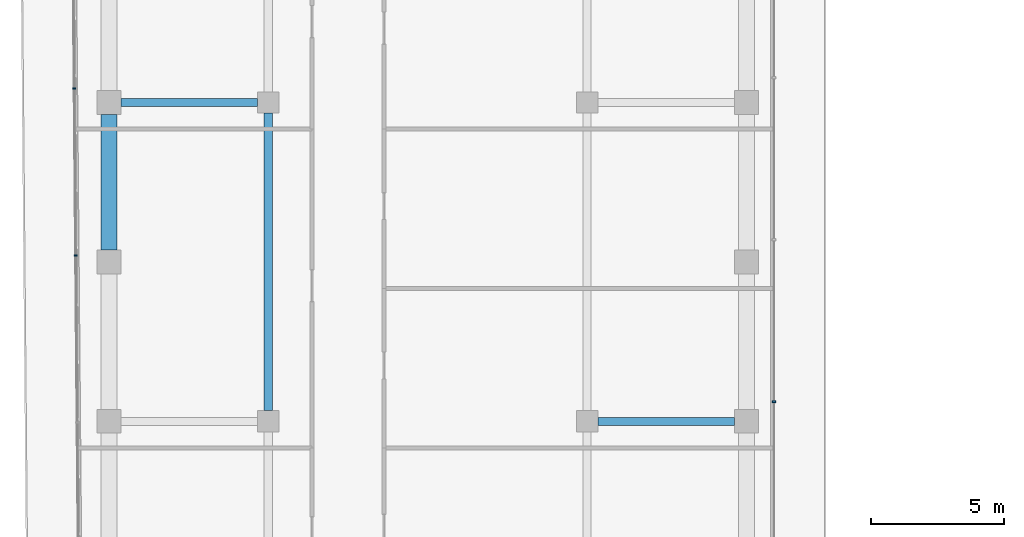
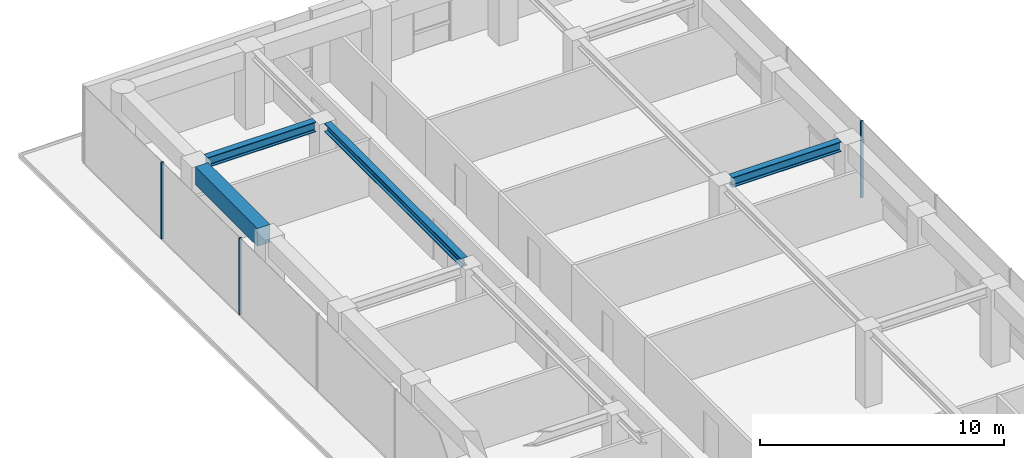
# One storey, part 12 of 21: 4 beams, 3 members, 2 elements without a shape of their own.
"""IFC4 building model written with IfcOpenShell, lengths in metres."""

from ifc_helpers import new_model, si_unit, direction, frame, origin, origin_2d, place, context, subcontext, project, spatial, rectangle, i_section, extrude, material, layer, layer_set, material_profile, profile_set, type_object, element, aggregate, save


model = new_model("IFC4")

# Units and contexts
model_context = context("Model", 3, precision=1e-05, world=origin(), true_north=direction((0.0, 1.0)))
body_context = subcontext(model_context, "Body", "Model", "MODEL_VIEW")
ifc_project = project(units=[si_unit("LENGTHUNIT", "METRE"), si_unit("AREAUNIT", "SQUARE_METRE"), si_unit("VOLUMEUNIT", "CUBIC_METRE"), si_unit("PLANEANGLEUNIT", "RADIAN"), si_unit("MASSUNIT", "GRAM", prefix="KILO")], contexts=[model_context])

# Site, building, storey
site_placement = place(None, origin())
site = spatial("IfcSite", under=ifc_project, at=site_placement, CompositionType="ELEMENT")
building_placement = place(site_placement, origin())
building = spatial("IfcBuilding", under=site, at=building_placement, Name="Welwitschia Terrace Campus", CompositionType="ELEMENT")
storey_placement = place(building_placement, frame((0.0, 0.0, 108.800048828125)))
storey = spatial("IfcBuildingStorey", under=building, at=storey_placement, Name="L24", CompositionType="ELEMENT", Elevation=108.800048828125)

# Beam
ifc_material_1 = material(Name="Steel S355", Category="steel")
ifc_material_profile_1 = material_profile(ifc_material_1, i_section(OverallWidth=0.306884765625, OverallDepth=0.431884765625, WebThickness=0.02099609375, FlangeThickness=0.0400390625, FilletRadius=0.027099609375, at=origin_2d()))
ifc_profile_set_1 = profile_set([ifc_material_profile_1], Name="Steel S355")
beam_type_1 = type_object("IfcBeamType", Name="Interior girder HE 400 M", PredefinedType="BEAM", material=ifc_profile_set_1)
beam_1_placement = place(storey_placement, frame((6.0, 52.400390625, 3.634033203125), z_axis=(0.0, 1.0, 0.0), x_axis=(-1.0, 0.0, 0.0)))
element("IfcBeam", 1, at=beam_1_placement, inside=storey, type_object=beam_type_1, Name="Girder GB3", PredefinedType="BEAM", context=body_context, shape_type="SweptSolid", body=[
    extrude(i_section(OverallWidth=0.306884765625, OverallDepth=0.431884765625, WebThickness=0.02099609375, FlangeThickness=0.0400390625, FilletRadius=0.027099609375, at=origin_2d()), origin(), (0.0, 0.0, 1.0), 11.19921875),
])

# Curtain wall, members
ifc_material_2 = material(Name="Bronze anodised aluminium", Category="aluminium")
ifc_layer = layer(ifc_material_2, 0.1201171875)
ifc_layer_set = layer_set([ifc_layer], Name="Bronze anodised aluminium")
curtain_wall_type = type_object("IfcCurtainWallType", Name="Curtain wall CW2 tower 6000", PredefinedType="NOTDEFINED", material=ifc_layer_set)
curtain_wall_1_placement = place(storey_placement, origin())
curtain_wall_1 = element("IfcCurtainWall", 2, at=curtain_wall_1_placement, inside=storey, type_object=curtain_wall_type, Name="CW L24.0.0", PredefinedType="NOTDEFINED")
ifc_material_3 = material(Name="Bronze anodised aluminium", Category="aluminium")
ifc_material_profile_2 = material_profile(ifc_material_3, rectangle(XDim=0.1201171875, YDim=0.06005859375, at=origin_2d()))
ifc_profile_set_2 = profile_set([ifc_material_profile_2], Name="Bronze anodised aluminium")
member_type = type_object("IfcMemberType", Name="Mullion 60x120", PredefinedType="MULLION", material=ifc_profile_set_2)
member_1_placement = place(storey_placement, frame((-1.304443359375, 64.53076171875, 0.0), z_axis=(0.0, 0.0, 1.0), x_axis=(0.999961923064, 0.008726535498, 0.0)))
member_1 = element("IfcMember", 3, at=member_1_placement, type_object=member_type, Name="Mullion L24.0.0.1", PredefinedType="MULLION", context=body_context, shape_type="SweptSolid", body=[
    extrude(rectangle(XDim=0.1201171875, YDim=0.06005859375, at=origin_2d()), origin(), (0.0, 0.0, 1.0), 3.849853515625),
])
member_2_placement = place(storey_placement, frame((-1.24951171875, 58.239990234375, 0.0), z_axis=(0.0, 0.0, 1.0), x_axis=(0.999961923064, 0.008726535498, 0.0)))
member_2 = element("IfcMember", 4, at=member_2_placement, type_object=member_type, Name="Mullion L24.0.0.2", PredefinedType="MULLION", context=body_context, shape_type="SweptSolid", body=[
    extrude(rectangle(XDim=0.1201171875, YDim=0.06005859375, at=origin_2d()), origin(), (0.0, 0.0, 1.0), 3.849853515625),
])
aggregate(curtain_wall_1, [member_1, member_2])

# Curtain wall, member
curtain_wall_2_placement = place(storey_placement, origin())
curtain_wall_2 = element("IfcCurtainWall", 5, at=curtain_wall_2_placement, inside=storey, type_object=curtain_wall_type, Name="CW L24.10.0", PredefinedType="NOTDEFINED")
member_3_placement = place(storey_placement, frame((25.030029296875, 52.7333984375, 0.0), z_axis=(0.0, 0.0, 1.0), x_axis=(-1.0, 0.0, 0.0)))
member_3 = element("IfcMember", 6, at=member_3_placement, type_object=member_type, Name="Mullion L24.10.0.3", PredefinedType="MULLION", context=body_context, shape_type="SweptSolid", body=[
    extrude(rectangle(XDim=0.1201171875, YDim=0.06005859375, at=origin_2d()), origin(), (0.0, 0.0, 1.0), 3.849853515625),
])
aggregate(curtain_wall_2, [member_3])

# Beams
ifc_material_4 = material(Name="Steel S355", Category="steel")
ifc_material_profile_3 = material_profile(ifc_material_4, i_section(OverallWidth=0.300048828125, OverallDepth=0.5, WebThickness=0.014404296875, FlangeThickness=0.028076171875, FilletRadius=0.027099609375, at=origin_2d()))
ifc_profile_set_3 = profile_set([ifc_material_profile_3], Name="Steel S355")
beam_type_2 = type_object("IfcBeamType", Name="Primary beam HE 500 B", PredefinedType="BEAM", material=ifc_profile_set_3)
for number, where, z_axis, x_axis, name in (
    (7, (23.549560546875, 52.0, 3.599853515625), (-1.0, 0.0, 0.0), (0.0, -1.0, 0.0), "Primary beam PB3"),
    (8, (0.450439453125, 64.0, 3.599853515625), (1.0, 0.0, 0.0), (0.0, 1.0, 0.0), "Primary beam PB3"),
):
    element("IfcBeam", number, at=place(storey_placement, frame(where, z_axis=z_axis, x_axis=x_axis)), inside=storey, type_object=beam_type_2, Name=name, PredefinedType="BEAM", context=body_context, shape_type="SweptSolid", body=[
        extrude(i_section(OverallWidth=0.300048828125, OverallDepth=0.5, WebThickness=0.014404296875, FlangeThickness=0.028076171875, FilletRadius=0.027099609375, at=origin_2d()), origin(), (0.0, 0.0, 1.0), 5.149169921875),
    ])
ifc_material_5 = material(Name="Concrete C60/75", Category="concrete")
ifc_material_profile_4 = material_profile(ifc_material_5, rectangle(XDim=0.60009765625, YDim=0.89990234375, at=origin_2d()))
ifc_profile_set_4 = profile_set([ifc_material_profile_4], Name="Concrete C60/75")
beam_type_3 = type_object("IfcBeamType", Name="Ring spandrel 600x900", PredefinedType="SPANDREL", material=ifc_profile_set_4)
beam_2_placement = place(storey_placement, frame((0.0, 63.549560546875, 3.39990234375), z_axis=(0.0, -1.0, 0.0), x_axis=(1.0, 0.0, 0.0)))
element("IfcBeam", 9, at=beam_2_placement, inside=storey, type_object=beam_type_3, Name="Spandrel SP2", PredefinedType="SPANDREL", context=body_context, shape_type="SweptSolid", body=[
    extrude(rectangle(XDim=0.60009765625, YDim=0.89990234375, at=origin_2d()), origin(), (0.0, 0.0, 1.0), 5.09912109375),
])

save(model, "model.ifc")
